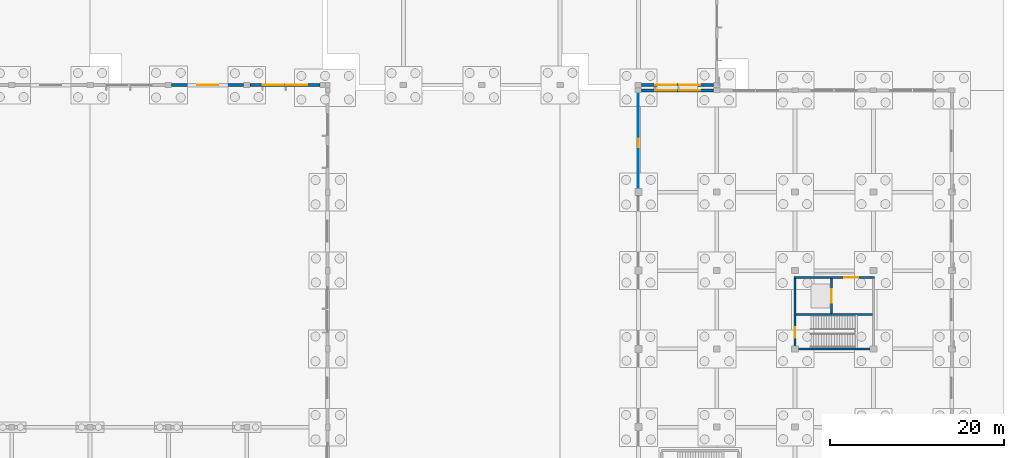
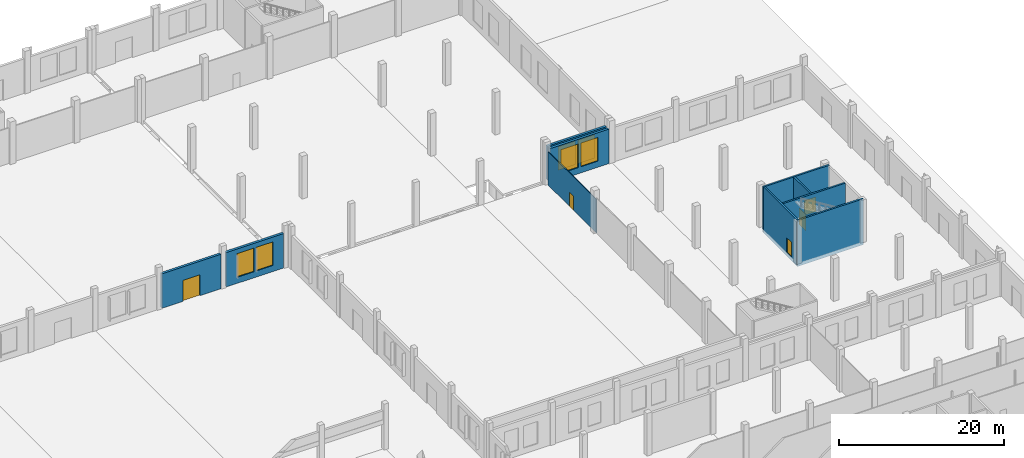
# One storey, part 70 of 99: 10 walls, 6 windows, 5 doors, 11 openings.
"""IFC4 building model written with IfcOpenShell, lengths in metres."""

import ifcopenshell
import ifcopenshell.guid

model = None  # the IFC model being written
_history = None  # IfcOwnerHistory: only IFC2X3 demands one
_inside = {}  # id of a spatial element -> (the spatial element, [elements in it])
_under = {}  # id of a project, library or spatial element -> (it, [spatial elements below it])
_declared = {}  # id of a project -> (the project, [libraries it declares])
_typed = {}  # id of a type object -> (the type object, [elements of that type])
_made_of = {}  # id of a material, layer set ... -> (it, [elements and type objects made of it])


def new_model(schema):
    """Start an empty IFC model of exactly this schema.

    Asked for "IFC4X3", IfcOpenShell would pick the latest addendum, in which some entities
    have other attributes; the version numbers below select the first issue.
    IFC2X3 requires an IfcOwnerHistory on every rooted entity: one is made here for all.
    """
    global model, _history
    if schema == "IFC4X3":
        model = ifcopenshell.file(schema_version=(4, 3, 0, 0))
    else:
        model = ifcopenshell.file(schema=schema)
    _inside.clear()
    _under.clear()
    _declared.clear()
    _typed.clear()
    _made_of.clear()
    _history = None
    if model.schema == "IFC2X3":
        org = make("IfcOrganization", Name="unknown")
        user = make(
            "IfcPersonAndOrganization",
            ThePerson=make("IfcPerson", FamilyName="unknown"),
            TheOrganization=org,
        )
        app = make(
            "IfcApplication",
            ApplicationDeveloper=org,
            Version="unknown",
            ApplicationFullName="unknown",
            ApplicationIdentifier="unknown",
        )
        _history = make(
            "IfcOwnerHistory",
            OwningUser=user,
            OwningApplication=app,
            ChangeAction="ADDED",
            CreationDate=0,
        )
    return model


def make(cls, **values):
    """One entity of the class cls with the attributes given. An attribute that is None is left unset."""
    return model.create_entity(
        cls, **{name: value for name, value in values.items() if value is not None}
    )


def rooted(cls, **values):
    """An entity with a GlobalId (a new one), such as an element, a storey or a relation."""
    return make(cls, GlobalId=ifcopenshell.guid.new(), OwnerHistory=_history, **values)


def si_unit(unit_type, name, prefix=None):
    """IfcSIUnit, for example si_unit("LENGTHUNIT", "METRE", prefix="MILLI")."""
    return make("IfcSIUnit", UnitType=unit_type, Prefix=prefix, Name=name)


def assignment(units):
    """IfcUnitAssignment: the units of a project."""
    return None if units is None else make("IfcUnitAssignment", Units=units)


def point(xyz):
    """IfcCartesianPoint."""
    return None if xyz is None else make("IfcCartesianPoint", Coordinates=xyz)


def direction(xyz):
    """IfcDirection."""
    return None if xyz is None else make("IfcDirection", DirectionRatios=xyz)


def frame(location, z_axis=None, x_axis=None):
    """IfcAxis2Placement3D, a coordinate frame: its origin and axes. An axis left out is left unset."""
    return make(
        "IfcAxis2Placement3D",
        Location=point(location),
        Axis=direction(z_axis),
        RefDirection=direction(x_axis),
    )


def frame_2d(location, x_axis=None):
    """IfcAxis2Placement2D, a coordinate frame in the plane: its origin and x axis."""
    return make(
        "IfcAxis2Placement2D", Location=point(location), RefDirection=direction(x_axis)
    )


def origin():
    """The frame at (0, 0, 0) with its axes left unset."""
    return frame((0.0, 0.0, 0.0))


def place(relative_to, where):
    """IfcLocalPlacement: puts the frame where relative to a parent placement (None: the world)."""
    return make(
        "IfcLocalPlacement", PlacementRelTo=relative_to, RelativePlacement=where
    )


def context(
    kind, dimensions, precision=None, world=None, true_north=None, identifier=None
):
    """IfcGeometricRepresentationContext, for example the 3D "Model" context."""
    return make(
        "IfcGeometricRepresentationContext",
        ContextIdentifier=identifier,
        ContextType=kind,
        CoordinateSpaceDimension=dimensions,
        Precision=precision,
        WorldCoordinateSystem=world,
        TrueNorth=true_north,
    )


def subcontext(parent, identifier, kind, view, scale=None):
    """IfcGeometricRepresentationSubContext, for example "Body" below "Model"."""
    return make(
        "IfcGeometricRepresentationSubContext",
        ContextIdentifier=identifier,
        ContextType=kind,
        ParentContext=parent,
        TargetScale=scale,
        TargetView=view,
    )


def project(units=None, contexts=None):
    """IfcProject with its units and contexts."""
    return rooted(
        "IfcProject",
        Name="project",
        RepresentationContexts=contexts,
        UnitsInContext=assignment(units),
    )


def spatial(cls, under=None, at=None, **own):
    """A site, building, storey or space (cls), placed at a placement, below another one or the project."""
    s = rooted(cls, ObjectPlacement=at, **own)
    if under is not None:
        _under.setdefault(under.id(), (under, []))[1].append(s)
    return s


def profile(cls, at=None, kind="AREA", **sizes):
    """A parametric profile (cls). Its sizes go by their IFC names, for example OverallWidth=200.0."""
    return make(cls, ProfileType=kind, Position=at, **sizes)


def rectangle(**sizes):
    """IfcRectangleProfileDef."""
    return profile("IfcRectangleProfileDef", **sizes)


def extrude(swept, where, along, depth):
    """IfcExtrudedAreaSolid: the profile swept, set in the frame where, extruded along a direction by depth."""
    return make(
        "IfcExtrudedAreaSolid",
        SweptArea=swept,
        Position=where,
        ExtrudedDirection=direction(along),
        Depth=depth,
    )


def shape(context_of_items, identifier, shape_type, items):
    """IfcShapeRepresentation: the items that make up one representation, for example the "Body"."""
    return make(
        "IfcShapeRepresentation",
        ContextOfItems=context_of_items,
        RepresentationIdentifier=identifier,
        RepresentationType=shape_type,
        Items=items,
    )


def material(Name=None, Category=None):
    """IfcMaterial."""
    return make("IfcMaterial", Name=Name, Category=Category)


def layer(
    of_material, thickness, ventilated=None, Name=None, Category=None, Priority=None
):
    """IfcMaterialLayer: one layer of a wall or slab, of a material (None: an air gap)."""
    return make(
        "IfcMaterialLayer",
        Material=of_material,
        LayerThickness=thickness,
        IsVentilated=ventilated,
        Name=Name,
        Category=Category,
        Priority=Priority,
    )


def layer_set(layers, Name=None):
    """IfcMaterialLayerSet."""
    return make("IfcMaterialLayerSet", MaterialLayers=layers, LayerSetName=Name)


def made_of(thing, what):
    """Note that an element or type object is made of a material, layer set ...; save() writes the relation."""
    if what is not None:
        _made_of.setdefault(what.id(), (what, []))[1].append(thing)
    return thing


def type_object(cls, material=None, **own):
    """A type object (cls), such as IfcWallType, which elements share."""
    return made_of(rooted(cls, **own), material)


def element(
    cls,
    number,
    at=None,
    inside=None,
    cuts=None,
    type_object=None,
    material=None,
    context=None,
    identifier="Body",
    shape_type=None,
    held_by="IfcProductDefinitionShape",
    body=None,
    shapes=None,
    **own,
):
    """One element of the class cls, such as IfcWall. Its Tag is "e" and its number.

    at: its placement. inside: the storey or other place that contains it. cuts: it is an
    opening in that element (IfcRelVoidsElement). A single representation is given by context,
    identifier, shape_type and body (its items); several are given by shapes. held_by: the class
    of the entity that holds the representations. save() writes the other relations.
    """
    e = rooted(cls, Tag="e%d" % number, ObjectPlacement=at, **own)
    if body is not None:
        shapes = [shape(context, identifier, shape_type, body)]
    if shapes is not None:
        e.Representation = make(held_by, Representations=shapes)
    if inside is not None:
        _inside.setdefault(inside.id(), (inside, []))[1].append(e)
    if cuts is not None:
        rooted(
            "IfcRelVoidsElement", RelatingBuildingElement=cuts, RelatedOpeningElement=e
        )
    if type_object is not None:
        _typed.setdefault(type_object.id(), (type_object, []))[1].append(e)
    return made_of(e, material)


def fill(opening, filler):
    """IfcRelFillsElement: the door or window that sits in an opening."""
    return rooted(
        "IfcRelFillsElement",
        RelatingOpeningElement=opening,
        RelatedBuildingElement=filler,
    )


def aggregate(whole, parts):
    """IfcRelAggregates: a whole, such as a stair, and the parts it consists of."""
    return rooted("IfcRelAggregates", RelatingObject=whole, RelatedObjects=parts)


def save(model, path):
    """Write the relations noted so far, then the file.

    IfcRelAggregates (storeys below a building ...), IfcRelContainedInSpatialStructure (elements
    in a storey), IfcRelDefinesByType, IfcRelAssociatesMaterial and IfcRelDeclares: one each for
    every whole, place, type object, material and project.
    """
    for whole, parts in _under.values():
        aggregate(whole, parts)
    for where, things in _inside.values():
        rooted(
            "IfcRelContainedInSpatialStructure",
            RelatedElements=things,
            RelatingStructure=where,
        )
    for kind, things in _typed.values():
        rooted("IfcRelDefinesByType", RelatedObjects=things, RelatingType=kind)
    for what, things in _made_of.values():
        rooted("IfcRelAssociatesMaterial", RelatedObjects=things, RelatingMaterial=what)
    for by, libraries in _declared.values():
        rooted("IfcRelDeclares", RelatingContext=by, RelatedDefinitions=libraries)
    model.write(path)


model = new_model("IFC4")

# Units and contexts
model_context = context("Model", 3, precision=1e-05, world=origin(), true_north=direction((0.0, 1.0)))
body_context = subcontext(model_context, "Body", "Model", "MODEL_VIEW")
ifc_project = project(units=[si_unit("LENGTHUNIT", "METRE"), si_unit("AREAUNIT", "SQUARE_METRE"), si_unit("VOLUMEUNIT", "CUBIC_METRE"), si_unit("PLANEANGLEUNIT", "RADIAN"), si_unit("MASSUNIT", "GRAM", prefix="KILO")], contexts=[model_context])

# Site, building, storey
site_placement = place(None, origin())
site = spatial("IfcSite", under=ifc_project, at=site_placement, CompositionType="ELEMENT")
building_placement = place(site_placement, origin())
building = spatial("IfcBuilding", under=site, at=building_placement, Name="Zacnel Wholesale Market", CompositionType="ELEMENT")
storey_placement = place(building_placement, origin())
storey = spatial("IfcBuildingStorey", under=building, at=storey_placement, Name="L01", CompositionType="ELEMENT", Elevation=0.0)

# Wall
ifc_material_1 = material(Name="Concrete C40/50", Category="concrete")
ifc_layer_1 = layer(ifc_material_1, 0.25)
ifc_layer_set_1 = layer_set([ifc_layer_1], Name="Concrete C40/50")
wall_type_1 = type_object("IfcWallType", Name="WL-CORE-SW250", PredefinedType="SOLIDWALL", material=ifc_layer_set_1)
wall_1_placement = place(storey_placement, frame((197.875, 66.0, -0.5), z_axis=(0.0, 0.0, 1.0), x_axis=(1.0, 0.0, 0.0)))
element("IfcWall", 1, at=wall_1_placement, inside=storey, type_object=wall_type_1, Name="Core C7 south shear wall L01", PredefinedType="SOLIDWALL", context=body_context, shape_type="SweptSolid", body=[
    extrude(rectangle(XDim=9.25, YDim=0.25, at=frame_2d((4.625, 0.0))), origin(), (0.0, 0.0, 1.0), 6.800048828125),
])

# Wall, opening, door
wall_2_placement = place(storey_placement, frame((197.875, 74.199951171875, -0.5), z_axis=(0.0, 0.0, 1.0), x_axis=(1.0, 0.0, 0.0)))
wall_2 = element("IfcWall", 2, at=wall_2_placement, inside=storey, type_object=wall_type_1, Name="Core C7 north shear wall L01", PredefinedType="SOLIDWALL", context=body_context, shape_type="SweptSolid", body=[
    extrude(rectangle(XDim=9.25, YDim=0.25, at=frame_2d((4.625, 0.0))), origin(), (0.0, 0.0, 1.0), 6.800048828125),
])
opening_1_placement = place(wall_2_placement, frame((5.77490234375, 0.0, 0.5)))
opening_1 = element("IfcOpeningElement", 3, at=opening_1_placement, cuts=wall_2, Name="Opening FD-02", PredefinedType="OPENING", context=body_context, shape_type="SweptSolid", body=[
    extrude(rectangle(XDim=1.60009765625, YDim=2.199951171875, at=frame_2d((0.800048828125, 1.10009765625))), frame((0.0, 0.135009765625, 0.0), z_axis=(0.0, -1.0, 0.0), x_axis=(1.0, 0.0, 0.0)), (0.0, 0.0, 1.0), 0.27001953125),
])
ifc_material_2 = material(Name="Galvanized steel", Category="steel")
door_type_1 = type_object("IfcDoorType", Name="DR-FIRE-LOBBY-1600", OperationType="NOTDEFINED", PredefinedType="DOOR", material=ifc_material_2)
door_1_placement = place(opening_1_placement, origin())
door_1 = element("IfcDoor", 4, at=door_1_placement, inside=storey, type_object=door_type_1, Name="Core lift lobby fire door C7 L01", OperationType="SINGLE_SWING_RIGHT", OverallHeight=2.199951171875, OverallWidth=1.60009765625, PredefinedType="DOOR", context=body_context, shape_type="SweptSolid", body=[
    extrude(rectangle(XDim=1.60009765625, YDim=2.199951171875, at=frame_2d((0.800048828125, 1.10009765625))), frame((0.0, 0.02490234375, 0.0), z_axis=(0.0, -1.0, 0.0), x_axis=(1.0, 0.0, 0.0)), (0.0, 0.0, 1.0), 0.050048828125),
])
fill(opening_1, door_1)

wall_3_placement = place(storey_placement, frame((198.0, 66.125, -0.5), z_axis=(0.0, 0.0, 1.0), x_axis=(0.0, 1.0, 0.0)))
wall_3 = element("IfcWall", 5, at=wall_3_placement, inside=storey, type_object=wall_type_1, Name="Core C7 west shear wall L01", PredefinedType="SOLIDWALL", context=body_context, shape_type="SweptSolid", body=[
    extrude(rectangle(XDim=7.949951171875, YDim=0.25, at=frame_2d((3.97509765625, 0.0))), origin(), (0.0, 0.0, 1.0), 6.800048828125),
])
opening_2_placement = place(wall_3_placement, frame((1.14990234375, 0.0, 0.5)))
opening_2 = element("IfcOpeningElement", 6, at=opening_2_placement, cuts=wall_3, Name="Opening FD-01", PredefinedType="OPENING", context=body_context, shape_type="SweptSolid", body=[
    extrude(rectangle(XDim=1.199951171875, YDim=2.199951171875, at=frame_2d((0.60009765625, 1.10009765625))), frame((0.0, 0.135009765625, 0.0), z_axis=(0.0, -1.0, 0.0), x_axis=(1.0, 0.0, 0.0)), (0.0, 0.0, 1.0), 0.27001953125),
])
ifc_material_3 = material(Name="Galvanized steel", Category="steel")
door_type_2 = type_object("IfcDoorType", Name="DR-FIRE-STAIR-1200", OperationType="NOTDEFINED", PredefinedType="DOOR", material=ifc_material_3)
door_2_placement = place(opening_2_placement, origin())
door_2 = element("IfcDoor", 7, at=door_2_placement, inside=storey, type_object=door_type_2, Name="Protected stair fire door C7 L01", OperationType="SINGLE_SWING_LEFT", OverallHeight=2.199951171875, OverallWidth=1.199951171875, PredefinedType="DOOR", context=body_context, shape_type="SweptSolid", body=[
    extrude(rectangle(XDim=1.199951171875, YDim=2.199951171875, at=frame_2d((0.60009765625, 1.10009765625))), frame((0.0, 0.02490234375, 0.0), z_axis=(0.0, -1.0, 0.0), x_axis=(1.0, 0.0, 0.0)), (0.0, 0.0, 1.0), 0.050048828125),
])
fill(opening_2, door_2)

# Wall
wall_4_placement = place(storey_placement, frame((198.125, 69.949951171875, -0.5), z_axis=(0.0, 0.0, 1.0), x_axis=(1.0, 0.0, 0.0)))
element("IfcWall", 8, at=wall_4_placement, inside=storey, type_object=wall_type_1, Name="Core C7 stair-shaft shear wall L01", PredefinedType="SOLIDWALL", context=body_context, shape_type="SweptSolid", body=[
    extrude(rectangle(XDim=8.75, YDim=0.25, at=frame_2d((4.375, 0.0))), origin(), (0.0, 0.0, 1.0), 6.800048828125),
])

# Wall, opening, door
wall_5_placement = place(storey_placement, frame((202.199951171875, 70.074951171875, -0.5), z_axis=(0.0, 0.0, 1.0), x_axis=(0.0, 1.0, 0.0)))
wall_5 = element("IfcWall", 9, at=wall_5_placement, inside=storey, type_object=wall_type_1, Name="Core C7 lift shaft front wall L01", PredefinedType="SOLIDWALL", context=body_context, shape_type="SweptSolid", body=[
    extrude(rectangle(XDim=4.0, YDim=0.25, at=frame_2d((2.0, 0.0))), origin(), (0.0, 0.0, 1.0), 6.800048828125),
])
opening_3_placement = place(wall_5_placement, frame((1.199951171875, 0.0, 0.5)))
opening_3 = element("IfcOpeningElement", 10, at=opening_3_placement, cuts=wall_5, Name="Opening LD-02", PredefinedType="OPENING", context=body_context, shape_type="SweptSolid", body=[
    extrude(rectangle(XDim=1.60009765625, YDim=2.39990234375, at=frame_2d((0.800048828125, 1.199951171875))), frame((0.0, 0.135009765625, 0.0), z_axis=(0.0, -1.0, 0.0), x_axis=(1.0, 0.0, 0.0)), (0.0, 0.0, 1.0), 0.27001953125),
])
ifc_material_4 = material(Name="Galvanized steel", Category="steel")
door_type_3 = type_object("IfcDoorType", Name="DR-LIFT-GOODS-1600", OperationType="NOTDEFINED", PredefinedType="DOOR", material=ifc_material_4)
door_3_placement = place(opening_3_placement, origin())
door_3 = element("IfcDoor", 11, at=door_3_placement, inside=storey, type_object=door_type_3, Name="Lift landing door LG-04 L01", OperationType="SLIDING_TO_LEFT", OverallHeight=2.39990234375, OverallWidth=1.60009765625, PredefinedType="DOOR", context=body_context, shape_type="SweptSolid", body=[
    extrude(rectangle(XDim=1.60009765625, YDim=2.39990234375, at=frame_2d((0.800048828125, 1.199951171875))), frame((0.0, 0.02490234375, 0.0), z_axis=(0.0, -1.0, 0.0), x_axis=(1.0, 0.0, 0.0)), (0.0, 0.0, 1.0), 0.050048828125),
])
fill(opening_3, door_3)

ifc_material_5 = material(Name="Precast concrete C40/50 (Cancun limestone aggregate)", Category="masonry")
ifc_layer_2 = layer(ifc_material_5, 0.340087890625)
ifc_layer_set_2 = layer_set([ifc_layer_2], Name="Precast concrete C40/50 (Cancun limestone aggregate)")
wall_type_2 = type_object("IfcWallType", Name="WL-EXT-LIME-340", PredefinedType="SOLIDWALL", material=ifc_layer_set_2)
wall_6_placement = place(storey_placement, frame((126.375, 96.300048828125, 0.0), z_axis=(0.0, 0.0, 1.0), x_axis=(1.0, 0.0, 0.0)))
wall_6 = element("IfcWall", 12, at=wall_6_placement, inside=storey, type_object=wall_type_2, Name="Exterior wall L01-0130", PredefinedType="SOLIDWALL", context=body_context, shape_type="SweptSolid", body=[
    extrude(rectangle(XDim=8.25, YDim=0.340087890625, at=frame_2d((4.125, 0.0))), origin(), (0.0, 0.0, 1.0), 5.10009765625),
])
opening_4_placement = place(wall_6_placement, frame((2.925048828125, 0.0, 0.0)))
opening_4 = element("IfcOpeningElement", 13, at=opening_4_placement, cuts=wall_6, Name="Opening ED-01", PredefinedType="OPENING", context=body_context, shape_type="SweptSolid", body=[
    extrude(rectangle(XDim=2.39990234375, YDim=3.10009765625, at=frame_2d((1.199951171875, 1.550048828125))), frame((0.0, 0.179931640625, 0.0), z_axis=(0.0, -1.0, 0.0), x_axis=(1.0, 0.0, 0.0)), (0.0, 0.0, 1.0), 0.360107421875),
])
ifc_material_6 = material(Name="Anodised aluminium", Category="aluminium")
door_type_4 = type_object("IfcDoorType", Name="DR-EXT-PORTAL-2400", OperationType="NOTDEFINED", PredefinedType="DOOR", material=ifc_material_6)
door_4_placement = place(opening_4_placement, origin())
door_4 = element("IfcDoor", 14, at=door_4_placement, inside=storey, type_object=door_type_4, Name="Market hall civic portal 037", OperationType="DOUBLE_DOOR_SINGLE_SWING", OverallHeight=3.10009765625, OverallWidth=2.39990234375, PredefinedType="DOOR", context=body_context, shape_type="SweptSolid", body=[
    extrude(rectangle(XDim=2.39990234375, YDim=3.10009765625, at=frame_2d((1.199951171875, 1.550048828125))), frame((0.0, 0.02490234375, 0.0), z_axis=(0.0, -1.0, 0.0), x_axis=(1.0, 0.0, 0.0)), (0.0, 0.0, 1.0), 0.050048828125),
])
fill(opening_4, door_4)

# Wall, openings, windows
wall_7_placement = place(storey_placement, frame((135.375, 96.300048828125, 0.0), z_axis=(0.0, 0.0, 1.0), x_axis=(1.0, 0.0, 0.0)))
wall_7 = element("IfcWall", 15, at=wall_7_placement, inside=storey, type_object=wall_type_2, Name="Exterior wall L01-0131", PredefinedType="SOLIDWALL", context=body_context, shape_type="SweptSolid", body=[
    extrude(rectangle(XDim=8.050048828125, YDim=0.340087890625, at=frame_2d((4.02490234375, 0.0))), origin(), (0.0, 0.0, 1.0), 5.10009765625),
])
opening_5_placement = place(wall_7_placement, frame((1.48291015625, 0.0, 0.89990234375)))
opening_5 = element("IfcOpeningElement", 16, at=opening_5_placement, cuts=wall_7, Name="Opening W-01", PredefinedType="OPENING", context=body_context, shape_type="SweptSolid", body=[
    extrude(rectangle(XDim=2.39990234375, YDim=3.5, at=frame_2d((1.199951171875, 1.75))), frame((0.0, 0.179931640625, 0.0), z_axis=(0.0, -1.0, 0.0), x_axis=(1.0, 0.0, 0.0)), (0.0, 0.0, 1.0), 0.360107421875),
])
opening_6_placement = place(wall_7_placement, frame((4.1669921875, 0.0, 0.89990234375)))
opening_6 = element("IfcOpeningElement", 17, at=opening_6_placement, cuts=wall_7, Name="Opening W-01", PredefinedType="OPENING", context=body_context, shape_type="SweptSolid", body=[
    extrude(rectangle(XDim=2.39990234375, YDim=3.5, at=frame_2d((1.199951171875, 1.75))), frame((0.0, 0.179931640625, 0.0), z_axis=(0.0, -1.0, 0.0), x_axis=(1.0, 0.0, 0.0)), (0.0, 0.0, 1.0), 0.360107421875),
])
ifc_material_7 = material(Name="Laminated hurricane-impact low-E insulated glass", Category="glass")
window_type = type_object("IfcWindowType", Name="WIN-DEC-2400X3500", PartitioningType="TRIPLE_PANEL_VERTICAL", PredefinedType="WINDOW", material=ifc_material_7)
window_1_placement = place(opening_5_placement, origin())
window_1 = element("IfcWindow", 18, at=window_1_placement, inside=storey, type_object=window_type, Name="Window L01-0128", OverallHeight=3.5, OverallWidth=2.39990234375, PartitioningType="TRIPLE_PANEL_VERTICAL", PredefinedType="WINDOW", context=body_context, shape_type="SweptSolid", body=[
    extrude(rectangle(XDim=2.39990234375, YDim=3.5, at=frame_2d((1.199951171875, 1.75))), frame((0.0, 0.030029296875, 0.0), z_axis=(0.0, -1.0, 0.0), x_axis=(1.0, 0.0, 0.0)), (0.0, 0.0, 1.0), 0.06005859375),
])
fill(opening_5, window_1)
window_2_placement = place(opening_6_placement, origin())
window_2 = element("IfcWindow", 19, at=window_2_placement, inside=storey, type_object=window_type, Name="Window L01-0129", OverallHeight=3.5, OverallWidth=2.39990234375, PartitioningType="TRIPLE_PANEL_VERTICAL", PredefinedType="WINDOW", context=body_context, shape_type="SweptSolid", body=[
    extrude(rectangle(XDim=2.39990234375, YDim=3.5, at=frame_2d((1.199951171875, 1.75))), frame((0.0, 0.030029296875, 0.0), z_axis=(0.0, -1.0, 0.0), x_axis=(1.0, 0.0, 0.0)), (0.0, 0.0, 1.0), 0.06005859375),
])
fill(opening_6, window_2)

wall_8_placement = place(storey_placement, frame((180.375, 96.300048828125, 0.0), z_axis=(0.0, 0.0, 1.0), x_axis=(1.0, 0.0, 0.0)))
wall_8 = element("IfcWall", 20, at=wall_8_placement, inside=storey, type_object=wall_type_2, Name="Exterior wall L01-0132", PredefinedType="SOLIDWALL", context=body_context, shape_type="SweptSolid", body=[
    extrude(rectangle(XDim=8.25, YDim=0.340087890625, at=frame_2d((4.125, 0.0))), origin(), (0.0, 0.0, 1.0), 5.10009765625),
])
opening_7_placement = place(wall_8_placement, frame((1.550048828125, 0.0, 0.89990234375)))
opening_7 = element("IfcOpeningElement", 21, at=opening_7_placement, cuts=wall_8, Name="Opening W-01", PredefinedType="OPENING", context=body_context, shape_type="SweptSolid", body=[
    extrude(rectangle(XDim=2.39990234375, YDim=3.5, at=frame_2d((1.199951171875, 1.75))), frame((0.0, 0.179931640625, 0.0), z_axis=(0.0, -1.0, 0.0), x_axis=(1.0, 0.0, 0.0)), (0.0, 0.0, 1.0), 0.360107421875),
])
opening_8_placement = place(wall_8_placement, frame((4.300048828125, 0.0, 0.89990234375)))
opening_8 = element("IfcOpeningElement", 22, at=opening_8_placement, cuts=wall_8, Name="Opening W-01", PredefinedType="OPENING", context=body_context, shape_type="SweptSolid", body=[
    extrude(rectangle(XDim=2.39990234375, YDim=3.5, at=frame_2d((1.199951171875, 1.75))), frame((0.0, 0.179931640625, 0.0), z_axis=(0.0, -1.0, 0.0), x_axis=(1.0, 0.0, 0.0)), (0.0, 0.0, 1.0), 0.360107421875),
])
window_3_placement = place(opening_7_placement, origin())
window_3 = element("IfcWindow", 23, at=window_3_placement, inside=storey, type_object=window_type, Name="Window L01-0130", OverallHeight=3.5, OverallWidth=2.39990234375, PartitioningType="TRIPLE_PANEL_VERTICAL", PredefinedType="WINDOW", context=body_context, shape_type="SweptSolid", body=[
    extrude(rectangle(XDim=2.39990234375, YDim=3.5, at=frame_2d((1.199951171875, 1.75))), frame((0.0, 0.030029296875, 0.0), z_axis=(0.0, -1.0, 0.0), x_axis=(1.0, 0.0, 0.0)), (0.0, 0.0, 1.0), 0.06005859375),
])
fill(opening_7, window_3)
window_4_placement = place(opening_8_placement, origin())
window_4 = element("IfcWindow", 24, at=window_4_placement, inside=storey, type_object=window_type, Name="Window L01-0131", OverallHeight=3.5, OverallWidth=2.39990234375, PartitioningType="TRIPLE_PANEL_VERTICAL", PredefinedType="WINDOW", context=body_context, shape_type="SweptSolid", body=[
    extrude(rectangle(XDim=2.39990234375, YDim=3.5, at=frame_2d((1.199951171875, 1.75))), frame((0.0, 0.030029296875, 0.0), z_axis=(0.0, -1.0, 0.0), x_axis=(1.0, 0.0, 0.0)), (0.0, 0.0, 1.0), 0.06005859375),
])
fill(opening_8, window_4)

wall_9_placement = place(storey_placement, frame((180.375, 95.699951171875, 0.0), z_axis=(0.0, 0.0, 1.0), x_axis=(1.0, 0.0, 0.0)))
wall_9 = element("IfcWall", 25, at=wall_9_placement, inside=storey, type_object=wall_type_2, Name="Exterior wall L01-0162", PredefinedType="SOLIDWALL", context=body_context, shape_type="SweptSolid", body=[
    extrude(rectangle(XDim=8.25, YDim=0.340087890625, at=frame_2d((4.125, 0.0))), origin(), (0.0, 0.0, 1.0), 5.10009765625),
])
opening_9_placement = place(wall_9_placement, frame((1.550048828125, 0.0, 0.89990234375)))
opening_9 = element("IfcOpeningElement", 26, at=opening_9_placement, cuts=wall_9, Name="Opening W-01", PredefinedType="OPENING", context=body_context, shape_type="SweptSolid", body=[
    extrude(rectangle(XDim=2.39990234375, YDim=3.5, at=frame_2d((1.199951171875, 1.75))), frame((0.0, 0.179931640625, 0.0), z_axis=(0.0, -1.0, 0.0), x_axis=(1.0, 0.0, 0.0)), (0.0, 0.0, 1.0), 0.360107421875),
])
opening_10_placement = place(wall_9_placement, frame((4.300048828125, 0.0, 0.89990234375)))
opening_10 = element("IfcOpeningElement", 27, at=opening_10_placement, cuts=wall_9, Name="Opening W-01", PredefinedType="OPENING", context=body_context, shape_type="SweptSolid", body=[
    extrude(rectangle(XDim=2.39990234375, YDim=3.5, at=frame_2d((1.199951171875, 1.75))), frame((0.0, 0.179931640625, 0.0), z_axis=(0.0, -1.0, 0.0), x_axis=(1.0, 0.0, 0.0)), (0.0, 0.0, 1.0), 0.360107421875),
])
window_5_placement = place(opening_9_placement, origin())
window_5 = element("IfcWindow", 28, at=window_5_placement, inside=storey, type_object=window_type, Name="Window L01-0178", OverallHeight=3.5, OverallWidth=2.39990234375, PartitioningType="TRIPLE_PANEL_VERTICAL", PredefinedType="WINDOW", context=body_context, shape_type="SweptSolid", body=[
    extrude(rectangle(XDim=2.39990234375, YDim=3.5, at=frame_2d((1.199951171875, 1.75))), frame((0.0, 0.030029296875, 0.0), z_axis=(0.0, -1.0, 0.0), x_axis=(1.0, 0.0, 0.0)), (0.0, 0.0, 1.0), 0.06005859375),
])
fill(opening_9, window_5)
window_6_placement = place(opening_10_placement, origin())
window_6 = element("IfcWindow", 29, at=window_6_placement, inside=storey, type_object=window_type, Name="Window L01-0179", OverallHeight=3.5, OverallWidth=2.39990234375, PartitioningType="TRIPLE_PANEL_VERTICAL", PredefinedType="WINDOW", context=body_context, shape_type="SweptSolid", body=[
    extrude(rectangle(XDim=2.39990234375, YDim=3.5, at=frame_2d((1.199951171875, 1.75))), frame((0.0, 0.030029296875, 0.0), z_axis=(0.0, -1.0, 0.0), x_axis=(1.0, 0.0, 0.0)), (0.0, 0.0, 1.0), 0.06005859375),
])
fill(opening_10, window_6)

# Wall, opening, door
ifc_material_8 = material(Name="Moisture-resistant gypsum board partition")
ifc_layer_3 = layer(ifc_material_8, 0.110107421875)
ifc_layer_set_3 = layer_set([ifc_layer_3], Name="Moisture-resistant gypsum board partition")
wall_type_3 = type_object("IfcWallType", Name="WL-PART-GYP110", PredefinedType="PARTITIONING", material=ifc_layer_set_3)
wall_10_placement = place(storey_placement, frame((180.0, 83.60009765625, 0.0), z_axis=(0.0, 0.0, 1.0), x_axis=(0.0, 1.0, 0.0)))
wall_10 = element("IfcWall", 30, at=wall_10_placement, inside=storey, type_object=wall_type_3, Name="Interior partition L01-0031 part 2", PredefinedType="PARTITIONING", context=body_context, shape_type="SweptSolid", body=[
    extrude(rectangle(XDim=11.64990234375, YDim=0.110107421875, at=frame_2d((5.824951171875, 0.0))), origin(), (0.0, 0.0, 1.0), 4.949951171875),
])
opening_11_placement = place(wall_10_placement, frame((5.534912109375, 0.0, 0.0)))
opening_11 = element("IfcOpeningElement", 31, at=opening_11_placement, cuts=wall_10, Name="Opening ID-04", PredefinedType="OPENING", context=body_context, shape_type="SweptSolid", body=[
    extrude(rectangle(XDim=0.97998046875, YDim=2.1201171875, at=frame_2d((0.489990234375, 1.06005859375))), frame((0.0, 0.06494140625, 0.0), z_axis=(0.0, -1.0, 0.0), x_axis=(1.0, 0.0, 0.0)), (0.0, 0.0, 1.0), 0.130126953125),
])
ifc_material_9 = material(Name="Solid-core tropical hardwood door", Category="wood")
door_type_5 = type_object("IfcDoorType", Name="DR-OFF-SGL-980", OperationType="NOTDEFINED", PredefinedType="DOOR", material=ifc_material_9)
door_5_placement = place(opening_11_placement, origin())
door_5 = element("IfcDoor", 32, at=door_5_placement, inside=storey, type_object=door_type_5, Name="Interior door L01-0027", OperationType="SINGLE_SWING_RIGHT", OverallHeight=2.1201171875, OverallWidth=0.97998046875, PredefinedType="DOOR", context=body_context, shape_type="SweptSolid", body=[
    extrude(rectangle(XDim=0.97998046875, YDim=2.1201171875, at=frame_2d((0.489990234375, 1.06005859375))), frame((0.0, 0.02490234375, 0.0), z_axis=(0.0, -1.0, 0.0), x_axis=(1.0, 0.0, 0.0)), (0.0, 0.0, 1.0), 0.050048828125),
])
fill(opening_11, door_5)

save(model, "model.ifc")
